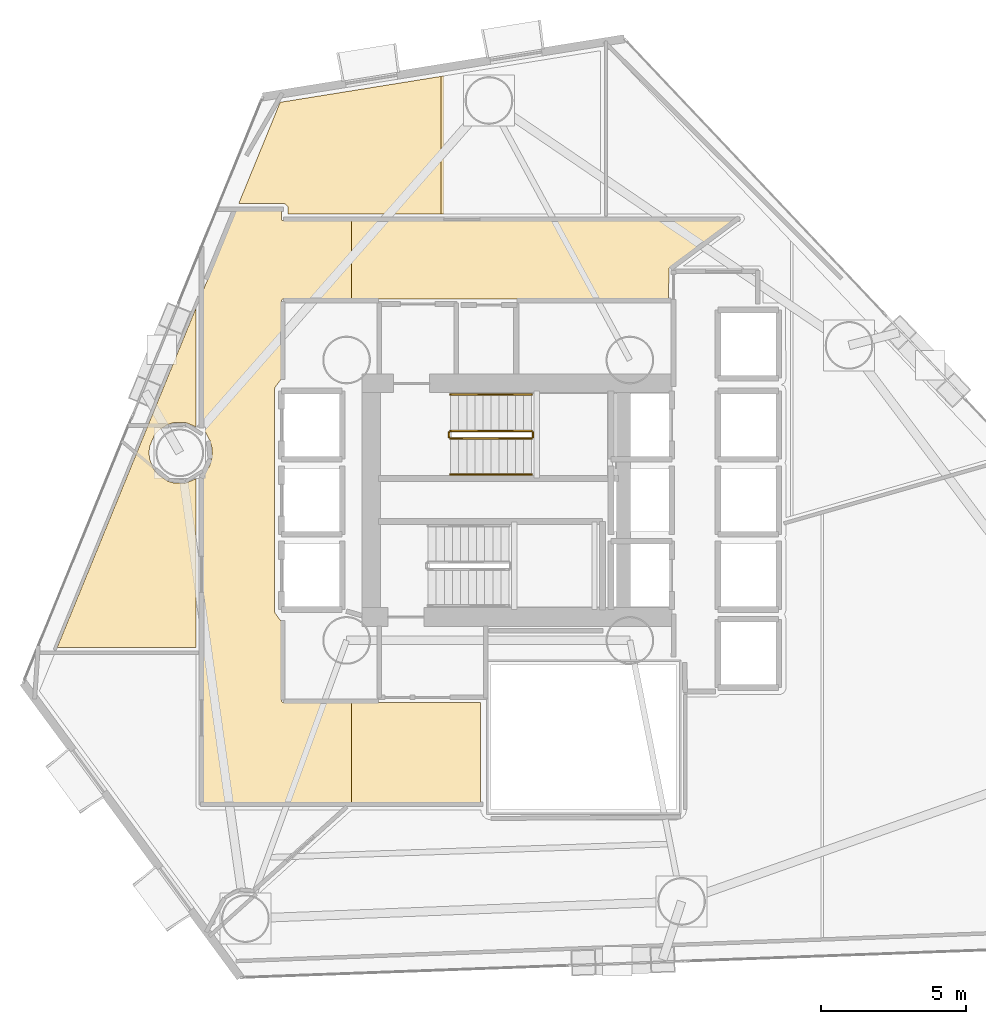
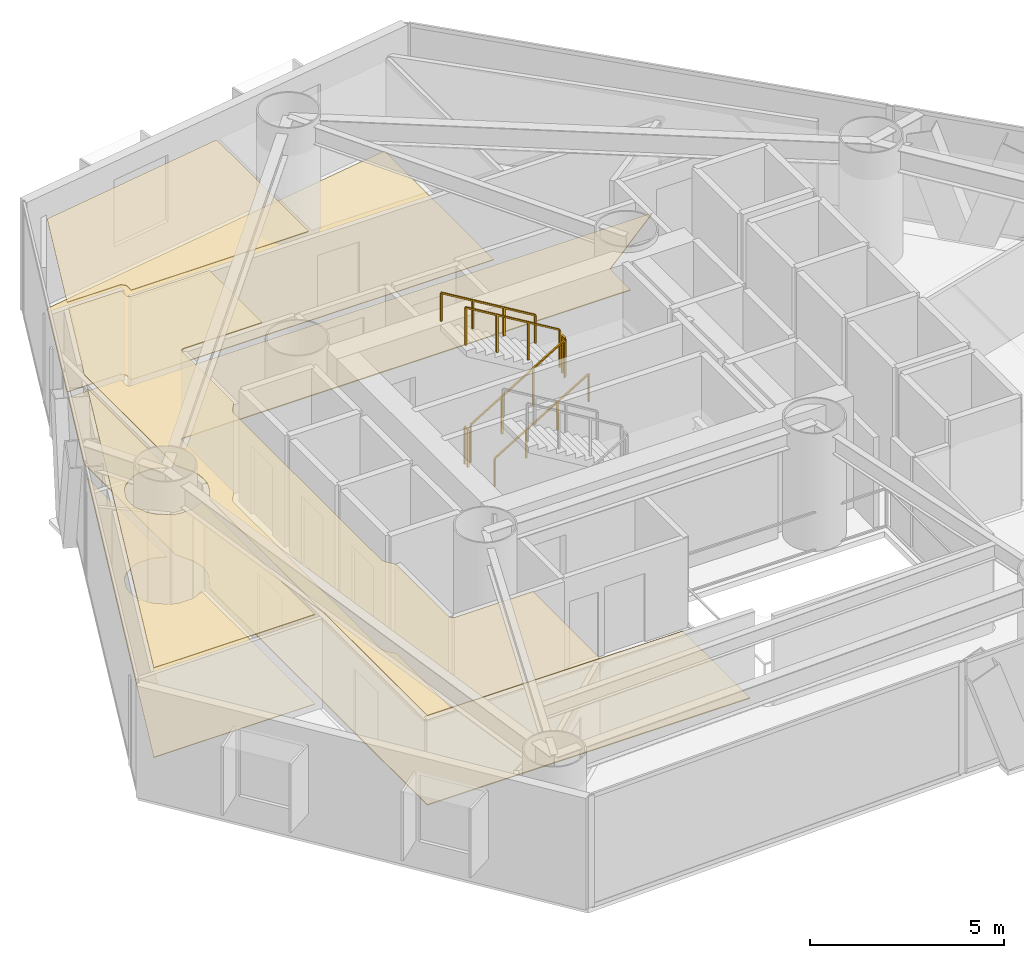
# One storey, part 22 of 23: 6 coverings, 6 railings.
"""IFC4 building model written with IfcOpenShell, lengths in metres."""

from ifc_helpers import new_model, si_unit, direction, frame, origin, origin_2d, place, context, subcontext, project, spatial, polyline, rectangle, outline, extrude, material, layer, layer_set, type_object, element, save


model = new_model("IFC4")

# Units and contexts
model_context = context("Model", 3, precision=1e-05, world=origin(), true_north=direction((0.0, 1.0)))
body_context = subcontext(model_context, "Body", "Model", "MODEL_VIEW")
ifc_project = project(units=[si_unit("LENGTHUNIT", "METRE"), si_unit("AREAUNIT", "SQUARE_METRE"), si_unit("VOLUMEUNIT", "CUBIC_METRE"), si_unit("PLANEANGLEUNIT", "RADIAN"), si_unit("MASSUNIT", "GRAM", prefix="KILO")], contexts=[model_context])

# Site, building, storey
site_placement = place(None, origin())
site = spatial("IfcSite", under=ifc_project, at=site_placement, CompositionType="ELEMENT")
building_placement = place(site_placement, origin())
building = spatial("IfcBuilding", under=site, at=building_placement, Name="Qianvela Tower", CompositionType="ELEMENT")
storey_placement = place(building_placement, frame((0.0, 0.0, 52.5)))
storey = spatial("IfcBuildingStorey", under=building, at=storey_placement, Name="L12", CompositionType="ELEMENT", Elevation=52.5)

# Coverings
ifc_material_1 = material(Name="Perforated Mineral Acoustic Ceiling Tile")
ifc_layer_1 = layer(ifc_material_1, 0.02490234375)
ifc_layer_set_1 = layer_set([ifc_layer_1], Name="Perforated Mineral Acoustic Ceiling Tile")
covering_type_1 = type_object("IfcCoveringType", Name="COV-CEIL-ACOUSTIC-25", PredefinedType="CEILING", material=ifc_layer_set_1)
covering_1_placement = place(storey_placement, frame((0.0, 0.0, 2.81494140625)))
element("IfcCovering", 1, at=covering_1_placement, inside=storey, type_object=covering_type_1, Name="L12 Acoustic Ceiling Bay 1 L12 Floor Corridor", PredefinedType="CEILING", context=body_context, shape_type="SweptSolid", body=[
    extrude(outline(polyline([(23.868408203125, 30.7705078125), (23.864990234375, 30.777587890625), (23.6298828125, 31.21728515625), (23.6298828125, 35.932861328125), (24.769775390625, 38.719970703125), (26.340087890625, 38.719970703125), (26.340087890625, 38.449951171875), (26.34033203125, 38.442138671875), (26.341552734375, 38.434326171875), (26.343505859375, 38.4267578125), (26.34619140625, 38.41943359375), (26.349365234375, 38.412353515625), (26.353515625, 38.405517578125), (26.358154296875, 38.399169921875), (26.36328125, 38.393310546875), (26.369140625, 38.38818359375), (26.37548828125, 38.383544921875), (26.38232421875, 38.37939453125), (26.389404296875, 38.376220703125), (26.396728515625, 38.373291015625), (26.404296875, 38.37158203125), (26.412109375, 38.370361328125), (26.419921875, 38.3701171875), (28.77490234375, 38.3701171875), (28.77490234375, 35.659912109375), (26.419921875, 35.659912109375), (26.412109375, 35.65966796875), (26.404296875, 35.658447265625), (26.396728515625, 35.656494140625), (26.389404296875, 35.65380859375), (26.38232421875, 35.650634765625), (26.37548828125, 35.646484375), (26.369140625, 35.641845703125), (26.36328125, 35.63671875), (26.358154296875, 35.630859375), (26.353515625, 35.62451171875), (26.349365234375, 35.61767578125), (26.34619140625, 35.610595703125), (26.343505859375, 35.603271484375), (26.341552734375, 35.595703125), (26.34033203125, 35.587890625), (26.340087890625, 35.580078125), (26.340087890625, 32.89599609375), (26.139404296875, 32.62548828125), (26.135498046875, 32.61962890625), (26.132080078125, 32.61376953125), (26.12939453125, 32.607421875), (26.126953125, 32.60107421875), (26.103515625, 32.523193359375), (26.1015625, 32.515625), (26.100341796875, 32.5078125), (26.10009765625, 32.5), (26.10009765625, 24.89990234375), (26.100341796875, 24.89208984375), (26.1015625, 24.884521484375), (26.103515625, 24.876708984375), (26.126953125, 24.799072265625), (26.12939453125, 24.79248046875), (26.132080078125, 24.786376953125), (26.135498046875, 24.7802734375), (26.139404296875, 24.774658203125), (26.340087890625, 24.50390625), (26.340087890625, 21.780029296875), (26.34033203125, 21.772216796875), (26.341552734375, 21.764404296875), (26.343505859375, 21.7568359375), (26.34619140625, 21.74951171875), (26.349365234375, 21.7421875), (26.353515625, 21.735595703125), (26.358154296875, 21.729248046875), (26.36328125, 21.723388671875), (26.369140625, 21.71826171875), (26.37548828125, 21.71337890625), (26.38232421875, 21.70947265625), (26.389404296875, 21.7060546875), (26.396728515625, 21.703369140625), (26.404296875, 21.701416015625), (26.412109375, 21.700439453125), (26.419921875, 21.699951171875), (28.77490234375, 21.699951171875), (28.77490234375, 18.22998046875), (23.6298828125, 18.22998046875), (23.6298828125, 29.462646484375), (23.864990234375, 29.90234375), (23.868408203125, 29.909423828125), (23.87109375, 29.9169921875), (23.930419921875, 30.11279296875), (23.932373046875, 30.12060546875), (23.93359375, 30.12841796875), (23.95361328125, 30.332275390625), (23.9541015625, 30.340087890625), (23.95361328125, 30.347900390625), (23.93359375, 30.5517578125), (23.932373046875, 30.5595703125), (23.930419921875, 30.567138671875), (23.87109375, 30.76318359375), (23.868408203125, 30.7705078125)])), origin(), (0.0, 0.0, 1.0), 0.025146484375),
])
covering_2_placement = place(storey_placement, frame((0.0, 0.0, 2.81494140625)))
element("IfcCovering", 2, at=covering_2_placement, inside=storey, type_object=covering_type_1, Name="L12 Acoustic Ceiling Bay 1 Academic Advising Lounge L12-04", PredefinedType="CEILING", context=body_context, shape_type="SweptSolid", body=[
    extrude(outline(polyline([(26.577880859375, 38.82373046875), (26.576904296875, 38.83154296875), (26.574951171875, 38.839111328125), (26.572265625, 38.846435546875), (26.56884765625, 38.853515625), (26.56494140625, 38.860107421875), (26.560302734375, 38.866455078125), (26.554931640625, 38.872314453125), (26.4921875, 38.93505859375), (26.486328125, 38.940185546875), (26.47998046875, 38.945068359375), (26.473388671875, 38.948974609375), (26.46630859375, 38.952392578125), (26.458984375, 38.955078125), (26.451416015625, 38.956787109375), (26.443603515625, 38.9580078125), (26.435791015625, 38.95849609375), (24.867919921875, 38.9599609375), (26.301513671875, 42.4658203125), (31.864990234375, 43.361572265625), (31.864990234375, 38.610107421875), (26.57958984375, 38.610107421875), (26.57861328125, 38.81591796875), (26.577880859375, 38.82373046875)])), origin(), (0.0, 0.0, 1.0), 0.025146484375),
])
covering_3_placement = place(storey_placement, frame((0.0, 0.0, 2.81494140625)))
element("IfcCovering", 3, at=covering_3_placement, inside=storey, type_object=covering_type_1, Name="L12 Acoustic Ceiling Student Wellness Lounge L12-05", PredefinedType="CEILING", context=body_context, shape_type="SweptSolid", body=[
    extrude(outline(polyline([(23.389892578125, 29.440185546875), (23.39306640625, 23.611083984375), (18.59130859375, 23.611083984375), (23.389892578125, 35.34619140625), (23.390380859375, 31.23974609375), (23.0517578125, 31.3798828125), (23.04443359375, 31.382568359375), (23.036865234375, 31.384521484375), (23.029052734375, 31.3857421875), (23.021240234375, 31.385986328125), (22.63671875, 31.385986328125), (22.62890625, 31.3857421875), (22.62109375, 31.384521484375), (22.613525390625, 31.382568359375), (22.4287109375, 31.32666015625), (22.42138671875, 31.323974609375), (22.414306640625, 31.320556640625), (22.40771484375, 31.31640625), (22.088134765625, 31.10302734375), (22.081787109375, 31.098388671875), (22.075927734375, 31.093017578125), (22.07080078125, 31.08740234375), (21.9482421875, 30.93798828125), (21.943603515625, 30.931640625), (21.939453125, 30.9248046875), (21.93603515625, 30.91796875), (21.7890625, 30.562744140625), (21.786376953125, 30.555419921875), (21.784423828125, 30.5478515625), (21.783203125, 30.5400390625), (21.764404296875, 30.347900390625), (21.763916015625, 30.340087890625), (21.764404296875, 30.332275390625), (21.783203125, 30.139892578125), (21.784423828125, 30.132080078125), (21.786376953125, 30.12451171875), (21.7890625, 30.1171875), (21.93603515625, 29.76220703125), (21.939453125, 29.755126953125), (21.943603515625, 29.748291015625), (21.9482421875, 29.741943359375), (22.07080078125, 29.5927734375), (22.075927734375, 29.5869140625), (22.081787109375, 29.581787109375), (22.088134765625, 29.576904296875), (22.40771484375, 29.363525390625), (22.414306640625, 29.359375), (22.42138671875, 29.356201171875), (22.4287109375, 29.353515625), (22.613525390625, 29.29736328125), (22.62109375, 29.29541015625), (22.62890625, 29.294189453125), (22.63671875, 29.2939453125), (23.021240234375, 29.2939453125), (23.029052734375, 29.294189453125), (23.036865234375, 29.29541015625), (23.04443359375, 29.29736328125), (23.0517578125, 29.300048828125), (23.389892578125, 29.440185546875)])), origin(), (0.0, 0.0, 1.0), 0.025146484375),
])
ifc_material_2 = material(Name="Engineered Acoustic Oak Timber Flooring", Category="wood")
ifc_layer_2 = layer(ifc_material_2, 0.02001953125)
ifc_layer_set_2 = layer_set([ifc_layer_2], Name="Engineered Acoustic Oak Timber Flooring")
covering_type_2 = type_object("IfcCoveringType", Name="COV-FLOOR-OAK-20", PredefinedType="FLOORING", material=ifc_layer_set_2)
covering_4_placement = place(storey_placement, origin())
element("IfcCovering", 4, at=covering_4_placement, inside=storey, type_object=covering_type_2, Name="L12 Finish Flooring Academic Advising Lounge L12-04", PredefinedType="FLOORING", context=body_context, shape_type="SweptSolid", body=[
    extrude(outline(polyline([(26.57861328125, 38.81591796875), (26.577880859375, 38.82373046875), (26.576904296875, 38.83154296875), (26.574951171875, 38.839111328125), (26.572265625, 38.846435546875), (26.56884765625, 38.853515625), (26.56494140625, 38.860107421875), (26.560302734375, 38.866455078125), (26.554931640625, 38.872314453125), (26.4921875, 38.93505859375), (26.486328125, 38.940185546875), (26.47998046875, 38.945068359375), (26.473388671875, 38.948974609375), (26.46630859375, 38.952392578125), (26.458984375, 38.955078125), (26.451416015625, 38.956787109375), (26.443603515625, 38.9580078125), (26.435791015625, 38.95849609375), (24.867919921875, 38.9599609375), (26.301513671875, 42.4658203125), (37.3779296875, 44.249267578125), (37.3779296875, 38.610107421875), (26.57958984375, 38.610107421875), (26.57861328125, 38.81591796875)])), origin(), (0.0, 0.0, 1.0), 0.02001953125),
])
covering_5_placement = place(storey_placement, origin())
element("IfcCovering", 5, at=covering_5_placement, inside=storey, type_object=covering_type_2, Name="L12 Finish Flooring Student Wellness Lounge L12-05", PredefinedType="FLOORING", context=body_context, shape_type="SweptSolid", body=[
    extrude(outline(polyline([(23.389892578125, 29.440185546875), (23.39306640625, 23.611083984375), (18.59130859375, 23.611083984375), (23.389892578125, 35.34619140625), (23.390380859375, 31.23974609375), (23.0517578125, 31.3798828125), (23.04443359375, 31.382568359375), (23.036865234375, 31.384521484375), (23.029052734375, 31.3857421875), (23.021240234375, 31.385986328125), (22.63671875, 31.385986328125), (22.62890625, 31.3857421875), (22.62109375, 31.384521484375), (22.613525390625, 31.382568359375), (22.4287109375, 31.32666015625), (22.42138671875, 31.323974609375), (22.414306640625, 31.320556640625), (22.40771484375, 31.31640625), (22.088134765625, 31.10302734375), (22.081787109375, 31.098388671875), (22.075927734375, 31.093017578125), (22.07080078125, 31.08740234375), (21.9482421875, 30.93798828125), (21.943603515625, 30.931640625), (21.939453125, 30.9248046875), (21.93603515625, 30.91796875), (21.7890625, 30.562744140625), (21.786376953125, 30.555419921875), (21.784423828125, 30.5478515625), (21.783203125, 30.5400390625), (21.764404296875, 30.347900390625), (21.763916015625, 30.340087890625), (21.764404296875, 30.332275390625), (21.783203125, 30.139892578125), (21.784423828125, 30.132080078125), (21.786376953125, 30.12451171875), (21.7890625, 30.1171875), (21.93603515625, 29.76220703125), (21.939453125, 29.755126953125), (21.943603515625, 29.748291015625), (21.9482421875, 29.741943359375), (22.07080078125, 29.5927734375), (22.075927734375, 29.5869140625), (22.081787109375, 29.581787109375), (22.088134765625, 29.576904296875), (22.40771484375, 29.363525390625), (22.414306640625, 29.359375), (22.42138671875, 29.356201171875), (22.4287109375, 29.353515625), (22.613525390625, 29.29736328125), (22.62109375, 29.29541015625), (22.62890625, 29.294189453125), (22.63671875, 29.2939453125), (23.021240234375, 29.2939453125), (23.029052734375, 29.294189453125), (23.036865234375, 29.29541015625), (23.04443359375, 29.29736328125), (23.0517578125, 29.300048828125), (23.389892578125, 29.440185546875)])), origin(), (0.0, 0.0, 1.0), 0.02001953125),
])
ifc_material_3 = material(Name="Honed Stone Terrazzo Flooring", Category="masonry")
ifc_layer_3 = layer(ifc_material_3, 0.030029296875)
ifc_layer_set_3 = layer_set([ifc_layer_3], Name="Honed Stone Terrazzo Flooring")
covering_type_3 = type_object("IfcCoveringType", Name="COV-FLOOR-TERRAZZO-30", PredefinedType="FLOORING", material=ifc_layer_set_3)
covering_6_placement = place(storey_placement, origin())
element("IfcCovering", 6, at=covering_6_placement, inside=storey, type_object=covering_type_3, Name="L12 Finish Flooring L12 Floor Corridor", PredefinedType="FLOORING", context=body_context, shape_type="SweptSolid", body=[
    extrude(outline(polyline([(23.87109375, 30.76318359375), (23.868408203125, 30.7705078125), (23.864990234375, 30.777587890625), (23.6298828125, 31.21728515625), (23.6298828125, 35.932861328125), (24.769775390625, 38.719970703125), (26.340087890625, 38.719970703125), (26.340087890625, 38.449951171875), (26.34033203125, 38.442138671875), (26.341552734375, 38.434326171875), (26.343505859375, 38.4267578125), (26.34619140625, 38.41943359375), (26.349365234375, 38.412353515625), (26.353515625, 38.405517578125), (26.358154296875, 38.399169921875), (26.36328125, 38.393310546875), (26.369140625, 38.38818359375), (26.37548828125, 38.383544921875), (26.38232421875, 38.37939453125), (26.389404296875, 38.376220703125), (26.396728515625, 38.373291015625), (26.404296875, 38.37158203125), (26.412109375, 38.370361328125), (26.419921875, 38.3701171875), (41.961181640625, 38.3701171875), (39.784423828125, 36.753662109375), (39.778076171875, 36.748291015625), (39.772216796875, 36.742431640625), (39.76708984375, 36.736083984375), (39.7626953125, 36.729248046875), (39.759033203125, 36.721923828125), (39.756103515625, 36.71435546875), (39.75390625, 36.70654296875), (39.752685546875, 36.698486328125), (39.752197265625, 36.690185546875), (39.739013671875, 35.659912109375), (26.419921875, 35.659912109375), (26.412109375, 35.65966796875), (26.404296875, 35.658447265625), (26.396728515625, 35.656494140625), (26.389404296875, 35.65380859375), (26.38232421875, 35.650634765625), (26.37548828125, 35.646484375), (26.369140625, 35.641845703125), (26.36328125, 35.63671875), (26.358154296875, 35.630859375), (26.353515625, 35.62451171875), (26.349365234375, 35.61767578125), (26.34619140625, 35.610595703125), (26.343505859375, 35.603271484375), (26.341552734375, 35.595703125), (26.34033203125, 35.587890625), (26.340087890625, 35.580078125), (26.340087890625, 32.89599609375), (26.139404296875, 32.62548828125), (26.135498046875, 32.61962890625), (26.132080078125, 32.61376953125), (26.12939453125, 32.607421875), (26.126953125, 32.60107421875), (26.103515625, 32.523193359375), (26.1015625, 32.515625), (26.100341796875, 32.5078125), (26.10009765625, 32.5), (26.10009765625, 24.89990234375), (26.100341796875, 24.89208984375), (26.1015625, 24.884521484375), (26.103515625, 24.876708984375), (26.126953125, 24.799072265625), (26.12939453125, 24.79248046875), (26.132080078125, 24.786376953125), (26.135498046875, 24.7802734375), (26.139404296875, 24.774658203125), (26.340087890625, 24.50390625), (26.340087890625, 21.780029296875), (26.34033203125, 21.772216796875), (26.341552734375, 21.764404296875), (26.343505859375, 21.7568359375), (26.34619140625, 21.74951171875), (26.349365234375, 21.7421875), (26.353515625, 21.735595703125), (26.358154296875, 21.729248046875), (26.36328125, 21.723388671875), (26.369140625, 21.71826171875), (26.37548828125, 21.71337890625), (26.38232421875, 21.70947265625), (26.389404296875, 21.7060546875), (26.396728515625, 21.703369140625), (26.404296875, 21.701416015625), (26.412109375, 21.700439453125), (26.419921875, 21.699951171875), (33.239990234375, 21.699951171875), (33.239990234375, 18.22998046875), (23.6298828125, 18.22998046875), (23.6298828125, 29.462646484375), (23.864990234375, 29.90234375), (23.868408203125, 29.909423828125), (23.87109375, 29.9169921875), (23.930419921875, 30.11279296875), (23.932373046875, 30.12060546875), (23.93359375, 30.12841796875), (23.95361328125, 30.332275390625), (23.9541015625, 30.340087890625), (23.95361328125, 30.347900390625), (23.93359375, 30.5517578125), (23.932373046875, 30.5595703125), (23.930419921875, 30.567138671875), (23.87109375, 30.76318359375)])), origin(), (0.0, 0.0, 1.0), 0.030029296875),
])

# Railings
ifc_material_4 = material(Name="Painted Tubular Steel Q355B", Category="steel")
railing_type_1 = type_object("IfcRailingType", Name="RL-STAIR-GUARD-1200", PredefinedType="GUARDRAIL", material=ifc_material_4)
railing_1_placement = place(storey_placement, frame((32.199951171875, 30.840087890625, 0.168212890625)))
element("IfcRailing", 7, at=railing_1_placement, inside=storey, type_object=railing_type_1, Name="L12 ST-1 stair guard 1", PredefinedType="GUARDRAIL", context=body_context, shape_type="SweptSolid", body=[
    extrude(rectangle(XDim=0.050048828125, YDim=0.0400390625, at=origin_2d()), frame((0.0, 0.0, 1.179931640625), z_axis=(0.857242210791, 0.0, 0.514913383045), x_axis=(0.0, 1.0, 0.0)), (0.0, 0.0, 1.0), 3.266357421875),
    extrude(rectangle(XDim=0.050048828125, YDim=0.050048828125, at=origin_2d()), origin(), (0.0, 0.0, 1.0), 1.159912109375),
    extrude(rectangle(XDim=0.050048828125, YDim=0.050048828125, at=origin_2d()), frame((0.933349609375, 0.0, 0.560546875)), (0.0, 0.0, 1.0), 1.159912109375),
    extrude(rectangle(XDim=0.050048828125, YDim=0.050048828125, at=origin_2d()), frame((1.86669921875, 0.0, 1.121337890625)), (0.0, 0.0, 1.0), 1.159912109375),
    extrude(rectangle(XDim=0.050048828125, YDim=0.050048828125, at=origin_2d()), frame((2.800048828125, 0.0, 1.681884765625)), (0.0, 0.0, 1.0), 1.159912109375),
])
railing_2_placement = place(storey_placement, frame((35.050048828125, 30.889892578125, 1.85009765625)))
element("IfcRailing", 8, at=railing_2_placement, inside=storey, type_object=railing_type_1, Name="L12 ST-1 stair guard 2", PredefinedType="GUARDRAIL", context=body_context, shape_type="SweptSolid", body=[
    extrude(rectangle(XDim=0.050048828125, YDim=0.0400390625, at=origin_2d()), frame((0.0, 0.0, 1.179931640625), z_axis=(0.0, 1.0, 0.0), x_axis=(-1.0, 0.0, 0.0)), (0.0, 0.0, 1.0), 0.16015625),
    extrude(rectangle(XDim=0.050048828125, YDim=0.050048828125, at=origin_2d()), origin(), (0.0, 0.0, 1.0), 1.159912109375),
    extrude(rectangle(XDim=0.050048828125, YDim=0.050048828125, at=origin_2d()), frame((0.0, 0.16015625, 0.0)), (0.0, 0.0, 1.0), 1.159912109375),
])
railing_3_placement = place(storey_placement, frame((35.0, 31.10009765625, 2.01806640625)))
element("IfcRailing", 9, at=railing_3_placement, inside=storey, type_object=railing_type_1, Name="L12 ST-1 stair guard 3", PredefinedType="GUARDRAIL", context=body_context, shape_type="SweptSolid", body=[
    extrude(rectangle(XDim=0.050048828125, YDim=0.0400390625, at=origin_2d()), frame((0.0, 0.0, 1.179931640625), z_axis=(-0.857242210791, 0.0, 0.514913383045), x_axis=(0.0, -1.0, 0.0)), (0.0, 0.0, 1.0), 3.266357421875),
    extrude(rectangle(XDim=0.050048828125, YDim=0.050048828125, at=origin_2d()), origin(), (0.0, 0.0, 1.0), 1.159912109375),
    extrude(rectangle(XDim=0.050048828125, YDim=0.050048828125, at=origin_2d()), frame((-0.933349609375, 0.0, 0.560546875)), (0.0, 0.0, 1.0), 1.159912109375),
    extrude(rectangle(XDim=0.050048828125, YDim=0.050048828125, at=origin_2d()), frame((-1.86669921875, 0.0, 1.121337890625)), (0.0, 0.0, 1.0), 1.159912109375),
    extrude(rectangle(XDim=0.050048828125, YDim=0.050048828125, at=origin_2d()), frame((-2.800048828125, 0.0, 1.681884765625)), (0.0, 0.0, 1.0), 1.159912109375),
])
railing_4_placement = place(storey_placement, frame((32.14990234375, 30.889892578125, 0.0)))
element("IfcRailing", 10, at=railing_4_placement, inside=storey, type_object=railing_type_1, Name="L12 ST-1 stair guard 4", PredefinedType="GUARDRAIL", context=body_context, shape_type="SweptSolid", body=[
    extrude(rectangle(XDim=0.050048828125, YDim=0.0400390625, at=origin_2d()), frame((0.0, 0.0, 1.179931640625), z_axis=(0.0, 1.0, 0.0), x_axis=(-1.0, 0.0, 0.0)), (0.0, 0.0, 1.0), 0.16015625),
    extrude(rectangle(XDim=0.050048828125, YDim=0.050048828125, at=origin_2d()), origin(), (0.0, 0.0, 1.0), 1.159912109375),
    extrude(rectangle(XDim=0.050048828125, YDim=0.050048828125, at=origin_2d()), frame((0.0, 0.16015625, 0.0)), (0.0, 0.0, 1.0), 1.159912109375),
])
ifc_material_5 = material(Name="Brushed Stainless Steel 304", Category="steel")
railing_type_2 = type_object("IfcRailingType", Name="RL-STAIR-HANDRAIL-900", PredefinedType="HANDRAIL", material=ifc_material_5)
railing_5_placement = place(storey_placement, frame((32.199951171875, 29.590087890625, 0.168212890625)))
element("IfcRailing", 11, at=railing_5_placement, inside=storey, type_object=railing_type_2, Name="L12 ST-1 stair handrail 1", PredefinedType="HANDRAIL", context=body_context, shape_type="SweptSolid", body=[
    extrude(rectangle(XDim=0.050048828125, YDim=0.0400390625, at=origin_2d()), frame((0.0, 0.0, 0.8798828125), z_axis=(0.857242210791, 0.0, 0.514913383045), x_axis=(0.0, 1.0, 0.0)), (0.0, 0.0, 1.0), 3.266357421875),
    extrude(rectangle(XDim=0.050048828125, YDim=0.050048828125, at=origin_2d()), origin(), (0.0, 0.0, 1.0), 0.85986328125),
    extrude(rectangle(XDim=0.050048828125, YDim=0.050048828125, at=origin_2d()), frame((0.933349609375, 0.0, 0.560546875)), (0.0, 0.0, 1.0), 0.85986328125),
    extrude(rectangle(XDim=0.050048828125, YDim=0.050048828125, at=origin_2d()), frame((1.86669921875, 0.0, 1.121337890625)), (0.0, 0.0, 1.0), 0.85986328125),
    extrude(rectangle(XDim=0.050048828125, YDim=0.050048828125, at=origin_2d()), frame((2.800048828125, 0.0, 1.681884765625)), (0.0, 0.0, 1.0), 0.85986328125),
])
railing_6_placement = place(storey_placement, frame((35.0, 32.35009765625, 2.01806640625)))
element("IfcRailing", 12, at=railing_6_placement, inside=storey, type_object=railing_type_2, Name="L12 ST-1 stair handrail 2", PredefinedType="HANDRAIL", context=body_context, shape_type="SweptSolid", body=[
    extrude(rectangle(XDim=0.050048828125, YDim=0.0400390625, at=origin_2d()), frame((0.0, 0.0, 0.8798828125), z_axis=(-0.857242210791, 0.0, 0.514913383045), x_axis=(0.0, -1.0, 0.0)), (0.0, 0.0, 1.0), 3.266357421875),
    extrude(rectangle(XDim=0.050048828125, YDim=0.050048828125, at=origin_2d()), origin(), (0.0, 0.0, 1.0), 0.85986328125),
    extrude(rectangle(XDim=0.050048828125, YDim=0.050048828125, at=origin_2d()), frame((-0.933349609375, 0.0, 0.560546875)), (0.0, 0.0, 1.0), 0.85986328125),
    extrude(rectangle(XDim=0.050048828125, YDim=0.050048828125, at=origin_2d()), frame((-1.86669921875, 0.0, 1.121337890625)), (0.0, 0.0, 1.0), 0.85986328125),
    extrude(rectangle(XDim=0.050048828125, YDim=0.050048828125, at=origin_2d()), frame((-2.800048828125, 0.0, 1.681884765625)), (0.0, 0.0, 1.0), 0.85986328125),
])

save(model, "model.ifc")
